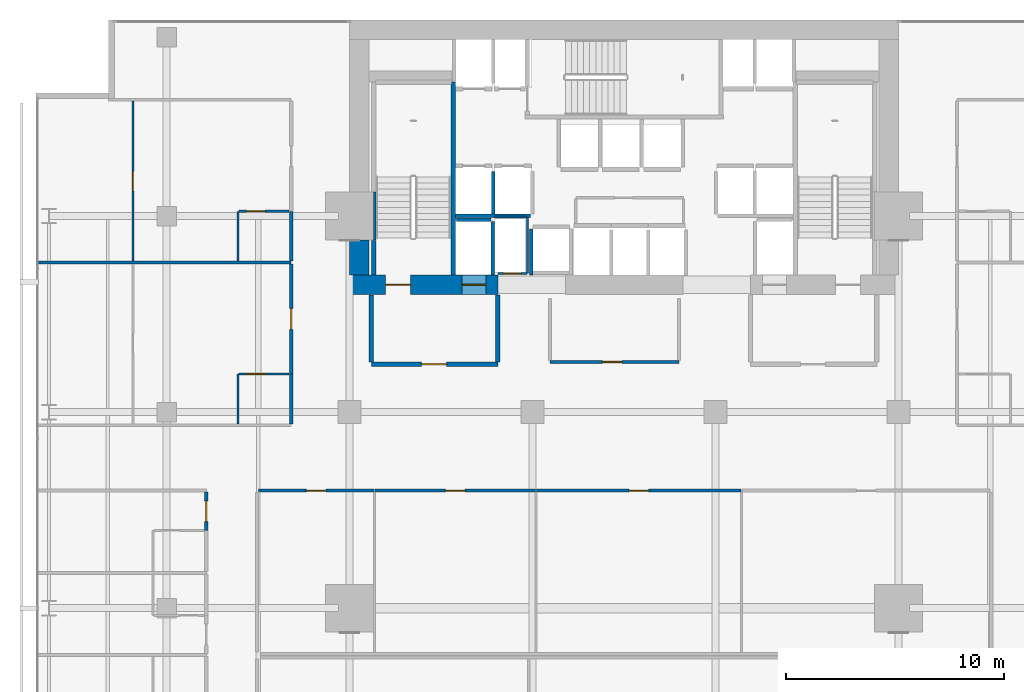
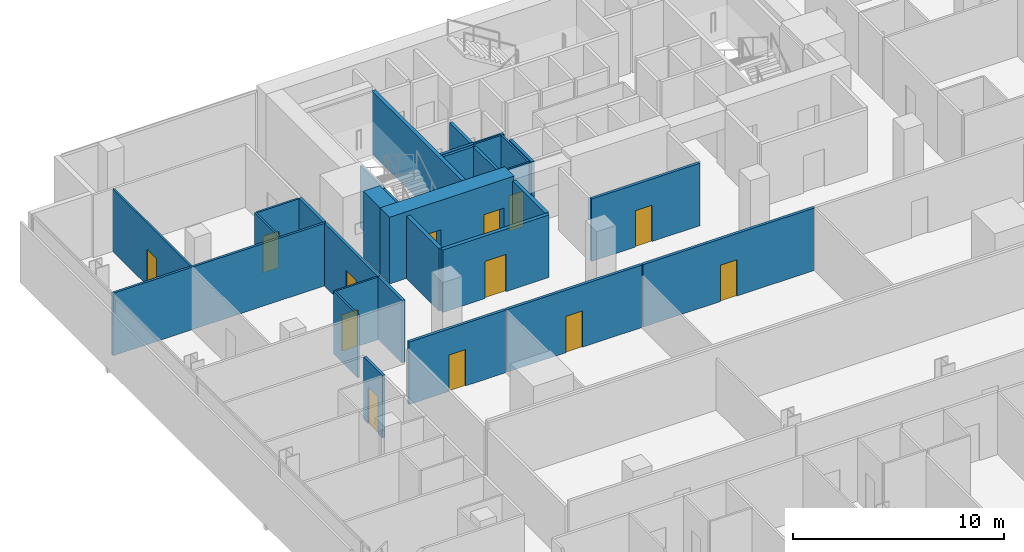
# One storey, part 35 of 40: 30 walls, 13 doors, 13 openings.
"""IFC4 building model written with IfcOpenShell, lengths in metres."""

from ifc_helpers import new_model, si_unit, direction, frame, frame_2d, origin, place, context, subcontext, project, spatial, rectangle, extrude, material, layer, layer_set, type_object, element, fill, save


model = new_model("IFC4")

# Units and contexts
model_context = context("Model", 3, precision=1e-05, world=origin(), true_north=direction((0.0, 1.0)))
body_context = subcontext(model_context, "Body", "Model", "MODEL_VIEW")
ifc_project = project(units=[si_unit("LENGTHUNIT", "METRE"), si_unit("AREAUNIT", "SQUARE_METRE"), si_unit("VOLUMEUNIT", "CUBIC_METRE"), si_unit("PLANEANGLEUNIT", "RADIAN"), si_unit("MASSUNIT", "GRAM", prefix="KILO")], contexts=[model_context])

# Site, building, storey
site_placement = place(None, origin())
site = spatial("IfcSite", under=ifc_project, at=site_placement, CompositionType="ELEMENT")
building_placement = place(site_placement, origin())
building = spatial("IfcBuilding", under=site, at=building_placement, Name="Maruvema Waterfront Hotel and Observation Tower", CompositionType="ELEMENT")
storey_placement = place(building_placement, frame((0.0, 0.0, 100.10009765625)))
storey = spatial("IfcBuildingStorey", under=building, at=storey_placement, Name="L24", CompositionType="ELEMENT", Elevation=100.10009765625)

# Wall, opening, door
ifc_material_1 = material(Name="Twin-stud acoustic gypsum drywall", Category="gypsum")
ifc_layer_1 = layer(ifc_material_1, 0.14990234375, Name="Acoustic Corridor and Suite Demising Wall 150 mm")
ifc_layer_set_1 = layer_set([ifc_layer_1], Name="Twin-stud acoustic gypsum drywall")
wall_type_1 = type_object("IfcWallType", Name="Acoustic Corridor and Suite Demising Wall 150 mm", PredefinedType="PARTITIONING", material=ifc_layer_set_1)
wall_1_placement = place(storey_placement, frame((34.39990234375, 38.300048828125, 0.0), z_axis=(0.0, 0.0, 1.0), x_axis=(1.0, 0.0, 0.0)))
wall_1 = element("IfcWall", 1, at=wall_1_placement, inside=storey, type_object=wall_type_1, Name="L24 Core Apron K0 South 013", PredefinedType="PARTITIONING", context=body_context, shape_type="SweptSolid", body=[
    extrude(rectangle(XDim=5.920166015625, YDim=0.14990234375, at=frame_2d((2.9599609375, 0.0))), origin(), (0.0, 0.0, 1.0), 3.60986328125),
])
opening_1_placement = place(wall_1_placement, frame((2.39990234375, 0.0, 0.0)))
opening_1 = element("IfcOpeningElement", 2, at=opening_1_placement, cuts=wall_1, Name="Opening DR-090", PredefinedType="OPENING", context=body_context, shape_type="SweptSolid", body=[
    extrude(rectangle(XDim=0.89990234375, YDim=2.10009765625, at=frame_2d((0.449951171875, 1.050048828125))), frame((0.0, 0.0849609375, 0.0), z_axis=(0.0, -1.0, 0.0), x_axis=(1.0, 0.0, 0.0)), (0.0, 0.0, 1.0), 0.169921875),
])
ifc_material_2 = material(Name="Solid-core lacquered timber leaf", Category="wood")
door_type_1 = type_object("IfcDoorType", Name="Accessible Toilet and Room Door 900x2100 mm", OperationType="NOTDEFINED", PredefinedType="DOOR", material=ifc_material_2)
door_1_placement = place(opening_1_placement, frame((0.89990234375, 0.0, 0.0), z_axis=(0.0, 0.0, 1.0), x_axis=(-1.0, 0.0, 0.0)))
door_1 = element("IfcDoor", 3, at=door_1_placement, inside=storey, type_object=door_type_1, Name="L24 Core Valet Room Door", OperationType="SINGLE_SWING_LEFT", OverallHeight=2.10009765625, OverallWidth=0.89990234375, PredefinedType="DOOR", context=body_context, shape_type="SweptSolid", body=[
    extrude(rectangle(XDim=0.89990234375, YDim=2.10009765625, at=frame_2d((0.449951171875, 1.050048828125))), frame((0.0, 0.02490234375, 0.0), z_axis=(0.0, -1.0, 0.0), x_axis=(1.0, 0.0, 0.0)), (0.0, 0.0, 1.0), 0.050048828125),
])
fill(opening_1, door_1)

wall_2_placement = place(storey_placement, frame((21.010009765625, 32.39990234375, 0.0), z_axis=(0.0, 0.0, 1.0), x_axis=(1.0, 0.0, 0.0)))
wall_2 = element("IfcWall", 4, at=wall_2_placement, inside=storey, type_object=wall_type_1, Name="L24 L24-INTN Front 1 019", PredefinedType="PARTITIONING", context=body_context, shape_type="SweptSolid", body=[
    extrude(rectangle(XDim=5.302001953125, YDim=0.14990234375, at=frame_2d((2.65087890625, 0.0))), origin(), (0.0, 0.0, 1.0), 3.60986328125),
])
opening_2_placement = place(wall_2_placement, frame((2.200927734375, 0.0, 0.0)))
opening_2 = element("IfcOpeningElement", 5, at=opening_2_placement, cuts=wall_2, Name="Opening DR-090", PredefinedType="OPENING", context=body_context, shape_type="SweptSolid", body=[
    extrude(rectangle(XDim=0.89990234375, YDim=2.10009765625, at=frame_2d((0.449951171875, 1.050048828125))), frame((0.0, 0.0849609375, 0.0), z_axis=(0.0, -1.0, 0.0), x_axis=(1.0, 0.0, 0.0)), (0.0, 0.0, 1.0), 0.169921875),
])
door_2_placement = place(opening_2_placement, origin())
door_2 = element("IfcDoor", 6, at=door_2_placement, inside=storey, type_object=door_type_1, Name="L24 Boardroom Salon Door", OperationType="SINGLE_SWING_RIGHT", OverallHeight=2.10009765625, OverallWidth=0.89990234375, PredefinedType="DOOR", context=body_context, shape_type="SweptSolid", body=[
    extrude(rectangle(XDim=0.89990234375, YDim=2.10009765625, at=frame_2d((0.449951171875, 1.050048828125))), frame((0.0, 0.02490234375, 0.0), z_axis=(0.0, -1.0, 0.0), x_axis=(1.0, 0.0, 0.0)), (0.0, 0.0, 1.0), 0.050048828125),
])
fill(opening_2, door_2)

wall_3_placement = place(storey_placement, frame((26.3720703125, 32.39990234375, 0.0), z_axis=(0.0, 0.0, 1.0), x_axis=(1.0, 0.0, 0.0)))
wall_3 = element("IfcWall", 7, at=wall_3_placement, inside=storey, type_object=wall_type_1, Name="L24 L24-INTN Front 2 021", PredefinedType="PARTITIONING", context=body_context, shape_type="SweptSolid", body=[
    extrude(rectangle(XDim=7.35400390625, YDim=0.14990234375, at=frame_2d((3.677001953125, 0.0))), origin(), (0.0, 0.0, 1.0), 3.60986328125),
])
opening_3_placement = place(wall_3_placement, frame((3.22705078125, 0.0, 0.0)))
opening_3 = element("IfcOpeningElement", 8, at=opening_3_placement, cuts=wall_3, Name="Opening DR-090", PredefinedType="OPENING", context=body_context, shape_type="SweptSolid", body=[
    extrude(rectangle(XDim=0.89990234375, YDim=2.10009765625, at=frame_2d((0.449951171875, 1.050048828125))), frame((0.0, 0.0849609375, 0.0), z_axis=(0.0, -1.0, 0.0), x_axis=(1.0, 0.0, 0.0)), (0.0, 0.0, 1.0), 0.169921875),
])
door_3_placement = place(opening_3_placement, origin())
door_3 = element("IfcDoor", 9, at=door_3_placement, inside=storey, type_object=door_type_1, Name="L24 Chef Pantry Kitchen 1 Door", OperationType="SINGLE_SWING_LEFT", OverallHeight=2.10009765625, OverallWidth=0.89990234375, PredefinedType="DOOR", context=body_context, shape_type="SweptSolid", body=[
    extrude(rectangle(XDim=0.89990234375, YDim=2.10009765625, at=frame_2d((0.449951171875, 1.050048828125))), frame((0.0, 0.02490234375, 0.0), z_axis=(0.0, -1.0, 0.0), x_axis=(1.0, 0.0, 0.0)), (0.0, 0.0, 1.0), 0.050048828125),
])
fill(opening_3, door_3)

wall_4_placement = place(storey_placement, frame((33.785888671875, 32.39990234375, 0.0), z_axis=(0.0, 0.0, 1.0), x_axis=(1.0, 0.0, 0.0)))
wall_4 = element("IfcWall", 10, at=wall_4_placement, inside=storey, type_object=wall_type_1, Name="L24 L24-INTN Front 3 023", PredefinedType="PARTITIONING", context=body_context, shape_type="SweptSolid", body=[
    extrude(rectangle(XDim=9.376220703125, YDim=0.14990234375, at=frame_2d((4.68798828125, 0.0))), origin(), (0.0, 0.0, 1.0), 3.60986328125),
])
opening_4_placement = place(wall_4_placement, frame((4.238037109375, 0.0, 0.0)))
opening_4 = element("IfcOpeningElement", 11, at=opening_4_placement, cuts=wall_4, Name="Opening DR-090", PredefinedType="OPENING", context=body_context, shape_type="SweptSolid", body=[
    extrude(rectangle(XDim=0.89990234375, YDim=2.10009765625, at=frame_2d((0.449951171875, 1.050048828125))), frame((0.0, 0.0849609375, 0.0), z_axis=(0.0, -1.0, 0.0), x_axis=(1.0, 0.0, 0.0)), (0.0, 0.0, 1.0), 0.169921875),
])
door_4_placement = place(opening_4_placement, origin())
door_4 = element("IfcDoor", 12, at=door_4_placement, inside=storey, type_object=door_type_1, Name="L24 Chef Pantry Kitchen 2 Door", OperationType="SINGLE_SWING_RIGHT", OverallHeight=2.10009765625, OverallWidth=0.89990234375, PredefinedType="DOOR", context=body_context, shape_type="SweptSolid", body=[
    extrude(rectangle(XDim=0.89990234375, YDim=2.10009765625, at=frame_2d((0.449951171875, 1.050048828125))), frame((0.0, 0.02490234375, 0.0), z_axis=(0.0, -1.0, 0.0), x_axis=(1.0, 0.0, 0.0)), (0.0, 0.0, 1.0), 0.050048828125),
])
fill(opening_4, door_4)

wall_5_placement = place(storey_placement, frame((18.6201171875, 30.570068359375, 0.0), z_axis=(0.0, 0.0, 1.0), x_axis=(0.0, 1.0, 0.0)))
wall_5 = element("IfcWall", 13, at=wall_5_placement, inside=storey, type_object=wall_type_1, Name="L24 Room L24-W4 Corridor Wall 096", PredefinedType="PARTITIONING", context=body_context, shape_type="SweptSolid", body=[
    extrude(rectangle(XDim=1.77001953125, YDim=0.14990234375, at=frame_2d((0.885009765625, 0.0))), origin(), (0.0, 0.0, 1.0), 3.60986328125),
])
opening_5_placement = place(wall_5_placement, frame((0.409912109375, 0.0, 0.0)))
opening_5 = element("IfcOpeningElement", 14, at=opening_5_placement, cuts=wall_5, Name="Opening DR-095", PredefinedType="OPENING", context=body_context, shape_type="SweptSolid", body=[
    extrude(rectangle(XDim=0.949951171875, YDim=2.14990234375, at=frame_2d((0.47509765625, 1.074951171875))), frame((0.0, 0.0849609375, 0.0), z_axis=(0.0, -1.0, 0.0), x_axis=(1.0, 0.0, 0.0)), (0.0, 0.0, 1.0), 0.169921875),
])
ifc_material_3 = material(Name="Acoustic solid-core hardwood timber leaf", Category="wood")
door_type_2 = type_object("IfcDoorType", Name="Guestroom Entrance Fire Door 950x2150 mm", OperationType="NOTDEFINED", PredefinedType="DOOR", material=ifc_material_3)
door_5_placement = place(opening_5_placement, origin())
door_5 = element("IfcDoor", 15, at=door_5_placement, inside=storey, type_object=door_type_2, Name="L24 Room L24-W4 Entrance Door", OperationType="SINGLE_SWING_LEFT", OverallHeight=2.14990234375, OverallWidth=0.949951171875, PredefinedType="DOOR", context=body_context, shape_type="SweptSolid", body=[
    extrude(rectangle(XDim=0.949951171875, YDim=2.14990234375, at=frame_2d((0.47509765625, 1.074951171875))), frame((0.0, 0.02490234375, 0.0), z_axis=(0.0, -1.0, 0.0), x_axis=(1.0, 0.0, 0.0)), (0.0, 0.0, 1.0), 0.050048828125),
])
fill(opening_5, door_5)

# Wall
wall_6_placement = place(storey_placement, frame((22.52001953125, 35.4599609375, 0.0), z_axis=(0.0, 0.0, 1.0), x_axis=(0.0, 1.0, 0.0)))
element("IfcWall", 16, at=wall_6_placement, inside=storey, type_object=wall_type_1, Name="L24 Bath L24-NW1 Wall 107", PredefinedType="PARTITIONING", context=body_context, shape_type="SweptSolid", body=[
    extrude(rectangle(XDim=2.2900390625, YDim=0.14990234375, at=frame_2d((1.14501953125, 0.0))), origin(), (0.0, 0.0, 1.0), 3.60986328125),
])

# Wall, opening, door
wall_7_placement = place(storey_placement, frame((22.52001953125, 37.75, 0.0), z_axis=(0.0, 0.0, 1.0), x_axis=(0.0, 1.0, 0.0)))
wall_7 = element("IfcWall", 17, at=wall_7_placement, inside=storey, type_object=wall_type_1, Name="L24 Room L24-NW1 Corridor Wall 108", PredefinedType="PARTITIONING", context=body_context, shape_type="SweptSolid", body=[
    extrude(rectangle(XDim=5.05859375, YDim=0.14990234375, at=frame_2d((2.529296875, 0.0))), origin(), (0.0, 0.0, 1.0), 3.60986328125),
])
opening_6_placement = place(wall_7_placement, frame((2.054443359375, 0.0, 0.0)))
opening_6 = element("IfcOpeningElement", 18, at=opening_6_placement, cuts=wall_7, Name="Opening DR-095", PredefinedType="OPENING", context=body_context, shape_type="SweptSolid", body=[
    extrude(rectangle(XDim=0.949951171875, YDim=2.14990234375, at=frame_2d((0.47509765625, 1.074951171875))), frame((0.0, 0.0849609375, 0.0), z_axis=(0.0, -1.0, 0.0), x_axis=(1.0, 0.0, 0.0)), (0.0, 0.0, 1.0), 0.169921875),
])
door_6_placement = place(opening_6_placement, origin())
door_6 = element("IfcDoor", 19, at=door_6_placement, inside=storey, type_object=door_type_2, Name="L24 Room L24-NW1 Entrance Door", OperationType="SINGLE_SWING_LEFT", OverallHeight=2.14990234375, OverallWidth=0.949951171875, PredefinedType="DOOR", context=body_context, shape_type="SweptSolid", body=[
    extrude(rectangle(XDim=0.949951171875, YDim=2.14990234375, at=frame_2d((0.47509765625, 1.074951171875))), frame((0.0, 0.02490234375, 0.0), z_axis=(0.0, -1.0, 0.0), x_axis=(1.0, 0.0, 0.0)), (0.0, 0.0, 1.0), 0.050048828125),
])
fill(opening_6, door_6)

# Walls
wall_8_placement = place(storey_placement, frame((22.52001953125, 42.9287109375, 0.0), z_axis=(0.0, 0.0, 1.0), x_axis=(0.0, 1.0, 0.0)))
element("IfcWall", 20, at=wall_8_placement, inside=storey, type_object=wall_type_1, Name="L24 Bath L24-NW2 Wall 119", PredefinedType="PARTITIONING", context=body_context, shape_type="SweptSolid", body=[
    extrude(rectangle(XDim=2.2900390625, YDim=0.14990234375, at=frame_2d((1.14501953125, 0.0))), origin(), (0.0, 0.0, 1.0), 3.60986328125),
])
ifc_material_4 = material(Name="Precast concrete C45/55", Category="concrete")
ifc_layer_2 = layer(ifc_material_4, 0.199951171875, Name="Core Shaft and Stairwell Enclosure Wall 200 mm")
ifc_layer_set_2 = layer_set([ifc_layer_2], Name="Precast concrete C45/55")
wall_type_2 = type_object("IfcWallType", Name="Core Shaft and Stairwell Enclosure Wall 200 mm", PredefinedType="SOLIDWALL", material=ifc_layer_set_2)
wall_9_placement = place(storey_placement, frame((29.949951171875, 42.300048828125, 0.0), z_axis=(0.0, 0.0, 1.0), x_axis=(0.0, 1.0, 0.0)))
element("IfcWall", 21, at=wall_9_placement, inside=storey, type_object=wall_type_2, Name="L24 Stairwell ST-01 East Shaft Wall", PredefinedType="SOLIDWALL", context=body_context, shape_type="SweptSolid", body=[
    extrude(rectangle(XDim=8.849853515625, YDim=0.199951171875, at=frame_2d((4.4248046875, 0.0))), origin(), (0.0, 0.0, 1.0), 3.60986328125),
])
wall_10_placement = place(storey_placement, frame((26.300048828125, 42.300048828125, 0.0), z_axis=(0.0, 0.0, 1.0), x_axis=(0.0, 1.0, 0.0)))
element("IfcWall", 22, at=wall_10_placement, inside=storey, type_object=wall_type_2, Name="L24 Stairwell ST-01 Shaft Lining Wall", PredefinedType="SOLIDWALL", context=body_context, shape_type="SweptSolid", body=[
    extrude(rectangle(XDim=1.579833984375, YDim=0.199951171875, at=frame_2d((0.7900390625, 0.0))), origin(), (0.0, 0.0, 1.0), 3.60986328125),
])

# Wall, openings, doors
ifc_material_5 = material(Name="Concrete C80/95", Category="concrete")
ifc_layer_3 = layer(ifc_material_5, 0.89990234375, Name="Core Shear Wall 900 mm")
ifc_layer_set_3 = layer_set([ifc_layer_3], Name="Concrete C80/95")
wall_type_3 = type_object("IfcWallType", Name="Core Shear Wall 900 mm", PredefinedType="SHEAR", material=ifc_layer_set_3)
wall_11_placement = place(storey_placement, frame((25.199951171875, 41.85009765625, 0.0), z_axis=(0.0, 0.0, 1.0), x_axis=(1.0, 0.0, 0.0)))
wall_11 = element("IfcWall", 23, at=wall_11_placement, inside=storey, type_object=wall_type_3, Name="L24 South-West Core Shear Wall", PredefinedType="SHEAR", context=body_context, shape_type="SweptSolid", body=[
    extrude(rectangle(XDim=6.800048828125, YDim=0.89990234375, at=frame_2d((3.39990234375, 0.0))), origin(), (0.0, 0.0, 1.0), 3.849853515625),
])
opening_7_placement = place(wall_11_placement, frame((1.64990234375, 0.0, 0.0)))
opening_7 = element("IfcOpeningElement", 24, at=opening_7_placement, cuts=wall_11, Name="Opening SD-01", PredefinedType="OPENING", context=body_context, shape_type="SweptSolid", body=[
    extrude(rectangle(XDim=1.14990234375, YDim=2.14990234375, at=frame_2d((0.574951171875, 1.074951171875))), frame((0.0, 0.4599609375, 0.0), z_axis=(0.0, -1.0, 0.0), x_axis=(1.0, 0.0, 0.0)), (0.0, 0.0, 1.0), 0.919921875),
])
opening_8_placement = place(wall_11_placement, frame((5.14990234375, 0.0, 0.0)))
opening_8 = element("IfcOpeningElement", 25, at=opening_8_placement, cuts=wall_11, Name="Opening LD-03", PredefinedType="OPENING", context=body_context, shape_type="SweptSolid", body=[
    extrude(rectangle(XDim=1.10009765625, YDim=2.199951171875, at=frame_2d((0.550048828125, 1.10009765625))), frame((0.0, 0.4599609375, 0.0), z_axis=(0.0, -1.0, 0.0), x_axis=(1.0, 0.0, 0.0)), (0.0, 0.0, 1.0), 0.919921875),
])
ifc_material_6 = material(Name="Fire-rated galvanised steel leaf", Category="steel")
door_type_3 = type_object("IfcDoorType", Name="Exit Stair Fire Door 1150x2150 mm", OperationType="NOTDEFINED", PredefinedType="DOOR", material=ifc_material_6)
door_7_placement = place(opening_7_placement, origin())
door_7 = element("IfcDoor", 26, at=door_7_placement, inside=storey, type_object=door_type_3, Name="L24 Exit Stair ST-01 Fire Door", OperationType="SINGLE_SWING_LEFT", OverallHeight=2.14990234375, OverallWidth=1.14990234375, PredefinedType="DOOR", context=body_context, shape_type="SweptSolid", body=[
    extrude(rectangle(XDim=1.14990234375, YDim=2.14990234375, at=frame_2d((0.574951171875, 1.074951171875))), frame((0.0, 0.02490234375, 0.0), z_axis=(0.0, -1.0, 0.0), x_axis=(1.0, 0.0, 0.0)), (0.0, 0.0, 1.0), 0.050048828125),
])
fill(opening_7, door_7)
ifc_material_7 = material(Name="Brushed stainless steel Grade 316", Category="steel")
door_type_4 = type_object("IfcDoorType", Name="Firefighting Lift Sliding Landing Door 1100x2200 mm", OperationType="SLIDING_TO_LEFT", PredefinedType="DOOR", material=ifc_material_7)
door_8_placement = place(opening_8_placement, frame((1.10009765625, 0.0, 0.0), z_axis=(0.0, 0.0, 1.0), x_axis=(-1.0, 0.0, 0.0)))
door_8 = element("IfcDoor", 27, at=door_8_placement, inside=storey, type_object=door_type_4, Name="L24 Firefighting Lift FL-01 Landing Door", OperationType="SLIDING_TO_LEFT", OverallHeight=2.199951171875, OverallWidth=1.10009765625, PredefinedType="DOOR", context=body_context, shape_type="SweptSolid", body=[
    extrude(rectangle(XDim=1.10009765625, YDim=2.199951171875, at=frame_2d((0.550048828125, 1.10009765625))), frame((0.0, 0.02490234375, 0.0), z_axis=(0.0, -1.0, 0.0), x_axis=(1.0, 0.0, 0.0)), (0.0, 0.0, 1.0), 0.050048828125),
])
fill(opening_8, door_8)

# Wall
wall_12_placement = place(storey_placement, frame((25.64990234375, 42.300048828125, 0.0), z_axis=(0.0, 0.0, 1.0), x_axis=(0.0, 1.0, 0.0)))
element("IfcWall", 28, at=wall_12_placement, inside=storey, type_object=wall_type_3, Name="L24 West-South Core Shear Wall", PredefinedType="SHEAR", context=body_context, shape_type="SweptSolid", body=[
    extrude(rectangle(XDim=1.599853515625, YDim=0.89990234375, at=frame_2d((0.7998046875, 0.0))), origin(), (0.0, 0.0, 1.0), 3.849853515625),
])

# Wall, opening, door
ifc_material_8 = material(Name="Moisture-resistant cement-board drywall", Category="gypsum")
ifc_layer_4 = layer(ifc_material_8, 0.10009765625, Name="En-Suite Moisture-Resistant Partition 100 mm")
ifc_layer_set_4 = layer_set([ifc_layer_4], Name="Moisture-resistant cement-board drywall")
wall_type_4 = type_object("IfcWallType", Name="En-Suite Moisture-Resistant Partition 100 mm", PredefinedType="PARTITIONING", material=ifc_layer_set_4)
wall_13_placement = place(storey_placement, frame((32.02001953125, 42.360107421875, 0.0), z_axis=(0.0, 0.0, 1.0), x_axis=(1.0, 0.0, 0.0)))
wall_13 = element("IfcWall", 29, at=wall_13_placement, inside=storey, type_object=wall_type_4, Name="L24 Telecom Riser South Wall 007", PredefinedType="PARTITIONING", context=body_context, shape_type="SweptSolid", body=[
    extrude(rectangle(XDim=1.320068359375, YDim=0.10009765625, at=frame_2d((0.66015625, 0.0))), origin(), (0.0, 0.0, 1.0), 3.60986328125),
])
opening_9_placement = place(wall_13_placement, frame((0.239990234375, 0.0, 0.0)))
opening_9 = element("IfcOpeningElement", 30, at=opening_9_placement, cuts=wall_13, Name="Opening DR-080", PredefinedType="OPENING", context=body_context, shape_type="SweptSolid", body=[
    extrude(rectangle(XDim=0.800048828125, YDim=2.050048828125, at=frame_2d((0.39990234375, 1.02490234375))), frame((0.0, 0.06005859375, 0.0), z_axis=(0.0, -1.0, 0.0), x_axis=(1.0, 0.0, 0.0)), (0.0, 0.0, 1.0), 0.1201171875),
])
ifc_material_9 = material(Name="Powder-coated steel access leaf", Category="steel")
door_type_5 = type_object("IfcDoorType", Name="Riser and Service Cupboard Door 800x2050 mm", OperationType="NOTDEFINED", PredefinedType="DOOR", material=ifc_material_9)
door_9_placement = place(opening_9_placement, frame((0.800048828125, 0.0, 0.0), z_axis=(0.0, 0.0, 1.0), x_axis=(-1.0, 0.0, 0.0)))
door_9 = element("IfcDoor", 31, at=door_9_placement, inside=storey, type_object=door_type_5, Name="L24 Telecom Riser Door", OperationType="SINGLE_SWING_LEFT", OverallHeight=2.050048828125, OverallWidth=0.800048828125, PredefinedType="DOOR", context=body_context, shape_type="SweptSolid", body=[
    extrude(rectangle(XDim=0.800048828125, YDim=2.050048828125, at=frame_2d((0.39990234375, 1.02490234375))), frame((0.0, 0.02490234375, 0.0), z_axis=(0.0, -1.0, 0.0), x_axis=(1.0, 0.0, 0.0)), (0.0, 0.0, 1.0), 0.050048828125),
])
fill(opening_9, door_9)

# Walls
wall_14_placement = place(storey_placement, frame((31.840087890625, 44.9599609375, 0.0), z_axis=(0.0, 0.0, 1.0), x_axis=(1.0, 0.0, 0.0)))
element("IfcWall", 32, at=wall_14_placement, inside=storey, type_object=wall_type_4, Name="L24 Telecom Riser North Wall 008", PredefinedType="PARTITIONING", context=body_context, shape_type="SweptSolid", body=[
    extrude(rectangle(XDim=1.47998046875, YDim=0.10009765625, at=frame_2d((0.739990234375, 0.0))), origin(), (0.0, 0.0, 1.0), 3.60986328125),
])
wall_15_placement = place(storey_placement, frame((33.360107421875, 42.360107421875, 0.0), z_axis=(0.0, 0.0, 1.0), x_axis=(0.0, 1.0, 0.0)))
element("IfcWall", 33, at=wall_15_placement, inside=storey, type_object=wall_type_4, Name="L24 Telecom Riser East Wall 009", PredefinedType="PARTITIONING", context=body_context, shape_type="SweptSolid", body=[
    extrude(rectangle(XDim=2.579833984375, YDim=0.10009765625, at=frame_2d((1.2900390625, 0.0))), origin(), (0.0, 0.0, 1.0), 3.60986328125),
])
wall_16_placement = place(storey_placement, frame((20.070068359375, 35.4599609375, 0.0), z_axis=(0.0, 0.0, 1.0), x_axis=(0.0, 1.0, 0.0)))
element("IfcWall", 34, at=wall_16_placement, inside=storey, type_object=wall_type_4, Name="L24 En-Suite L24-NW1 W 109", PredefinedType="PARTITIONING", context=body_context, shape_type="SweptSolid", body=[
    extrude(rectangle(XDim=2.2900390625, YDim=0.10009765625, at=frame_2d((1.14501953125, 0.0))), origin(), (0.0, 0.0, 1.0), 3.60986328125),
])

# Wall, opening, door
wall_17_placement = place(storey_placement, frame((20.1201171875, 37.75, 0.0), z_axis=(0.0, 0.0, 1.0), x_axis=(1.0, 0.0, 0.0)))
wall_17 = element("IfcWall", 35, at=wall_17_placement, inside=storey, type_object=wall_type_4, Name="L24 En-Suite L24-NW1 N 110", PredefinedType="PARTITIONING", context=body_context, shape_type="SweptSolid", body=[
    extrude(rectangle(XDim=2.2998046875, YDim=0.10009765625, at=frame_2d((1.14990234375, 0.0))), origin(), (0.0, 0.0, 1.0), 3.60986328125),
])
opening_10_placement = place(wall_17_placement, frame((0.35009765625, 0.0, 0.0)))
opening_10 = element("IfcOpeningElement", 36, at=opening_10_placement, cuts=wall_17, Name="Opening DR-085", PredefinedType="OPENING", context=body_context, shape_type="SweptSolid", body=[
    extrude(rectangle(XDim=0.85009765625, YDim=2.10009765625, at=frame_2d((0.425048828125, 1.050048828125))), frame((0.0, 0.06005859375, 0.0), z_axis=(0.0, -1.0, 0.0), x_axis=(1.0, 0.0, 0.0)), (0.0, 0.0, 1.0), 0.1201171875),
])
ifc_material_10 = material(Name="Moisture-resistant solid timber leaf", Category="wood")
door_type_6 = type_object("IfcDoorType", Name="En-Suite Bathroom Door 850x2100 mm", OperationType="NOTDEFINED", PredefinedType="DOOR", material=ifc_material_10)
door_10_placement = place(opening_10_placement, origin())
door_10 = element("IfcDoor", 37, at=door_10_placement, inside=storey, type_object=door_type_6, Name="L24 En-Suite L24-NW1 Door", OperationType="SINGLE_SWING_RIGHT", OverallHeight=2.10009765625, OverallWidth=0.85009765625, PredefinedType="DOOR", context=body_context, shape_type="SweptSolid", body=[
    extrude(rectangle(XDim=0.85009765625, YDim=2.10009765625, at=frame_2d((0.425048828125, 1.050048828125))), frame((0.0, 0.02490234375, 0.0), z_axis=(0.0, -1.0, 0.0), x_axis=(1.0, 0.0, 0.0)), (0.0, 0.0, 1.0), 0.050048828125),
])
fill(opening_10, door_10)

# Wall
wall_18_placement = place(storey_placement, frame((20.070068359375, 42.9287109375, 0.0), z_axis=(0.0, 0.0, 1.0), x_axis=(0.0, 1.0, 0.0)))
element("IfcWall", 38, at=wall_18_placement, inside=storey, type_object=wall_type_4, Name="L24 En-Suite L24-NW2 W 121", PredefinedType="PARTITIONING", context=body_context, shape_type="SweptSolid", body=[
    extrude(rectangle(XDim=2.2900390625, YDim=0.10009765625, at=frame_2d((1.14501953125, 0.0))), origin(), (0.0, 0.0, 1.0), 3.60986328125),
])

# Wall, opening, door
wall_19_placement = place(storey_placement, frame((20.1201171875, 45.21875, 0.0), z_axis=(0.0, 0.0, 1.0), x_axis=(1.0, 0.0, 0.0)))
wall_19 = element("IfcWall", 39, at=wall_19_placement, inside=storey, type_object=wall_type_4, Name="L24 En-Suite L24-NW2 N 122", PredefinedType="PARTITIONING", context=body_context, shape_type="SweptSolid", body=[
    extrude(rectangle(XDim=2.2998046875, YDim=0.10009765625, at=frame_2d((1.14990234375, 0.0))), origin(), (0.0, 0.0, 1.0), 3.60986328125),
])
opening_11_placement = place(wall_19_placement, frame((0.35009765625, 0.0, 0.0)))
opening_11 = element("IfcOpeningElement", 40, at=opening_11_placement, cuts=wall_19, Name="Opening DR-085", PredefinedType="OPENING", context=body_context, shape_type="SweptSolid", body=[
    extrude(rectangle(XDim=0.85009765625, YDim=2.10009765625, at=frame_2d((0.425048828125, 1.050048828125))), frame((0.0, 0.06005859375, 0.0), z_axis=(0.0, -1.0, 0.0), x_axis=(1.0, 0.0, 0.0)), (0.0, 0.0, 1.0), 0.1201171875),
])
door_11_placement = place(opening_11_placement, origin())
door_11 = element("IfcDoor", 41, at=door_11_placement, inside=storey, type_object=door_type_6, Name="L24 En-Suite L24-NW2 Door", OperationType="SINGLE_SWING_RIGHT", OverallHeight=2.10009765625, OverallWidth=0.85009765625, PredefinedType="DOOR", context=body_context, shape_type="SweptSolid", body=[
    extrude(rectangle(XDim=0.85009765625, YDim=2.10009765625, at=frame_2d((0.425048828125, 1.050048828125))), frame((0.0, 0.02490234375, 0.0), z_axis=(0.0, -1.0, 0.0), x_axis=(1.0, 0.0, 0.0)), (0.0, 0.0, 1.0), 0.050048828125),
])
fill(opening_11, door_11)

wall_20_placement = place(storey_placement, frame((15.24951171875, 42.9287109375, 0.0), z_axis=(0.0, 0.0, 1.0), x_axis=(0.0, 1.0, 0.0)))
wall_20 = element("IfcWall", 42, at=wall_20_placement, inside=storey, type_object=wall_type_4, Name="L24 Suite L24-NW2 Split 123", PredefinedType="PARTITIONING", context=body_context, shape_type="SweptSolid", body=[
    extrude(rectangle(XDim=7.348876953125, YDim=0.10009765625, at=frame_2d((3.67431640625, 0.0))), origin(), (0.0, 0.0, 1.0), 3.60986328125),
])
opening_12_placement = place(wall_20_placement, frame((3.224365234375, 0.0, 0.0)))
opening_12 = element("IfcOpeningElement", 43, at=opening_12_placement, cuts=wall_20, Name="Opening DR-090", PredefinedType="OPENING", context=body_context, shape_type="SweptSolid", body=[
    extrude(rectangle(XDim=0.89990234375, YDim=2.10009765625, at=frame_2d((0.449951171875, 1.050048828125))), frame((0.0, 0.06005859375, 0.0), z_axis=(0.0, -1.0, 0.0), x_axis=(1.0, 0.0, 0.0)), (0.0, 0.0, 1.0), 0.1201171875),
])
door_12_placement = place(opening_12_placement, origin())
door_12 = element("IfcDoor", 44, at=door_12_placement, inside=storey, type_object=door_type_1, Name="L24 Suite L24-NW2 Bedroom Door", OperationType="SINGLE_SWING_RIGHT", OverallHeight=2.10009765625, OverallWidth=0.89990234375, PredefinedType="DOOR", context=body_context, shape_type="SweptSolid", body=[
    extrude(rectangle(XDim=0.89990234375, YDim=2.10009765625, at=frame_2d((0.449951171875, 1.050048828125))), frame((0.0, 0.02490234375, 0.0), z_axis=(0.0, -1.0, 0.0), x_axis=(1.0, 0.0, 0.0)), (0.0, 0.0, 1.0), 0.050048828125),
])
fill(opening_12, door_12)

ifc_material_11 = material(Name="Autoclaved cellular concrete blockwork", Category="masonry")
ifc_layer_5 = layer(ifc_material_11, 0.199951171875, Name="Fire Compartment Masonry Wall 200 mm")
ifc_layer_set_5 = layer_set([ifc_layer_5], Name="Autoclaved cellular concrete blockwork")
wall_type_5 = type_object("IfcWallType", Name="Fire Compartment Masonry Wall 200 mm", PredefinedType="PARTITIONING", material=ifc_layer_set_5)
wall_21_placement = place(storey_placement, frame((26.199951171875, 38.199951171875, 0.0), z_axis=(0.0, 0.0, 1.0), x_axis=(1.0, 0.0, 0.0)))
wall_21 = element("IfcWall", 45, at=wall_21_placement, inside=storey, type_object=wall_type_5, Name="L24 FFL West South Wall 001", PredefinedType="PARTITIONING", context=body_context, shape_type="SweptSolid", body=[
    extrude(rectangle(XDim=5.800048828125, YDim=0.199951171875, at=frame_2d((2.89990234375, 0.0))), origin(), (0.0, 0.0, 1.0), 3.60986328125),
])
opening_13_placement = place(wall_21_placement, frame((2.300048828125, 0.0, 0.0)))
opening_13 = element("IfcOpeningElement", 46, at=opening_13_placement, cuts=wall_21, Name="Opening FD-115", PredefinedType="OPENING", context=body_context, shape_type="SweptSolid", body=[
    extrude(rectangle(XDim=1.14990234375, YDim=2.14990234375, at=frame_2d((0.574951171875, 1.074951171875))), frame((0.0, 0.10986328125, 0.0), z_axis=(0.0, -1.0, 0.0), x_axis=(1.0, 0.0, 0.0)), (0.0, 0.0, 1.0), 0.219970703125),
])
ifc_material_12 = material(Name="Fire-rated galvanised steel and vision glass", Category="steel")
door_type_7 = type_object("IfcDoorType", Name="Firefighting Lobby Fire Door 1150x2150 mm", OperationType="NOTDEFINED", PredefinedType="DOOR", material=ifc_material_12)
door_13_placement = place(opening_13_placement, frame((1.14990234375, 0.0, 0.0), z_axis=(0.0, 0.0, 1.0), x_axis=(-1.0, 0.0, 0.0)))
door_13 = element("IfcDoor", 47, at=door_13_placement, inside=storey, type_object=door_type_7, Name="L24 Firefighting Lobby West Door", OperationType="SINGLE_SWING_LEFT", OverallHeight=2.14990234375, OverallWidth=1.14990234375, PredefinedType="DOOR", context=body_context, shape_type="SweptSolid", body=[
    extrude(rectangle(XDim=1.14990234375, YDim=2.14990234375, at=frame_2d((0.574951171875, 1.074951171875))), frame((0.0, 0.02490234375, 0.0), z_axis=(0.0, -1.0, 0.0), x_axis=(1.0, 0.0, 0.0)), (0.0, 0.0, 1.0), 0.050048828125),
])
fill(opening_13, door_13)

# Walls
for number, where, z_axis, x_axis, name in (
    (48, (26.199951171875, 38.31005859375, 0.0), (0.0, 0.0, 1.0), (0.0, 1.0, 0.0), "L24 FFL West West Wall 002"),
    (49, (32.0, 38.31005859375, 0.0), (0.0, 0.0, 1.0), (0.0, 1.0, 0.0), "L24 FFL West East Wall 003"),
):
    element("IfcWall", number, at=place(storey_placement, frame(where, z_axis=z_axis, x_axis=x_axis)), inside=storey, type_object=wall_type_5, Name=name, PredefinedType="PARTITIONING", context=body_context, shape_type="SweptSolid", body=[
        extrude(rectangle(XDim=3.06982421875, YDim=0.199951171875, at=frame_2d((1.534912109375, 0.0))), origin(), (0.0, 0.0, 1.0), 3.60986328125),
    ])
ifc_material_13 = material(Name="Acoustic gypsum plasterboard drywall", Category="gypsum")
ifc_layer_6 = layer(ifc_material_13, 0.125, Name="Guestroom Acoustic Demising Wall 125 mm")
ifc_layer_set_6 = layer_set([ifc_layer_6], Name="Acoustic gypsum plasterboard drywall")
wall_type_6 = type_object("IfcWallType", Name="Guestroom Acoustic Demising Wall 125 mm", PredefinedType="PARTITIONING", material=ifc_layer_set_6)
wall_22_placement = place(storey_placement, frame((10.89990234375, 42.86865234375, 0.0), z_axis=(0.0, 0.0, 1.0), x_axis=(1.0, 0.0, 0.0)))
element("IfcWall", 50, at=wall_22_placement, inside=storey, type_object=wall_type_6, Name="L24 NW Demising 2 117", PredefinedType="PARTITIONING", context=body_context, shape_type="SweptSolid", body=[
    extrude(rectangle(XDim=11.6201171875, YDim=0.125, at=frame_2d((5.81005859375, 0.0))), origin(), (0.0, 0.0, 1.0), 3.60986328125),
])
ifc_material_14 = material(Name="Precast concrete C45/55", Category="concrete")
ifc_layer_7 = layer(ifc_material_14, 0.159912109375, Name="Lift Hoistway Divider Wall 160 mm")
ifc_layer_set_7 = layer_set([ifc_layer_7], Name="Precast concrete C45/55")
wall_type_7 = type_object("IfcWallType", Name="Lift Hoistway Divider Wall 160 mm", PredefinedType="SOLIDWALL", material=ifc_layer_set_7)
wall_23_placement = place(storey_placement, frame((30.10009765625, 44.830078125, 0.0), z_axis=(0.0, 0.0, 1.0), x_axis=(1.0, 0.0, 0.0)))
element("IfcWall", 51, at=wall_23_placement, inside=storey, type_object=wall_type_7, Name="L24 Lift FL-01 Rear Hoistway Wall", PredefinedType="SOLIDWALL", context=body_context, shape_type="SweptSolid", body=[
    extrude(rectangle(XDim=1.599853515625, YDim=0.159912109375, at=frame_2d((0.7998046875, 0.0))), origin(), (0.0, 0.0, 1.0), 3.60986328125),
])
wall_24_placement = place(storey_placement, frame((31.780029296875, 42.300048828125, 0.0), z_axis=(0.0, 0.0, 1.0), x_axis=(0.0, 1.0, 0.0)))
element("IfcWall", 52, at=wall_24_placement, inside=storey, type_object=wall_type_7, Name="L24 Lift FL-01 Inner Hoistway Wall", PredefinedType="SOLIDWALL", context=body_context, shape_type="SweptSolid", body=[
    extrude(rectangle(XDim=2.43994140625, YDim=0.159912109375, at=frame_2d((1.219970703125, 0.0))), origin(), (0.0, 0.0, 1.0), 3.60986328125),
])
wall_25_placement = place(storey_placement, frame((31.800048828125, 45.10009765625, 0.0), z_axis=(0.0, 0.0, 1.0), x_axis=(0.0, 1.0, 0.0)))
element("IfcWall", 53, at=wall_25_placement, inside=storey, type_object=wall_type_7, Name="L24 Hoistway Divider Wall", PredefinedType="SOLIDWALL", context=body_context, shape_type="SweptSolid", body=[
    extrude(rectangle(XDim=1.949951171875, YDim=0.159912109375, at=frame_2d((0.97509765625, 0.0))), origin(), (0.0, 0.0, 1.0), 3.60986328125),
])
wall_26_placement = place(storey_placement, frame((30.050048828125, 45.010009765625, 0.0), z_axis=(0.0, 0.0, 1.0), x_axis=(1.0, 0.0, 0.0)))
element("IfcWall", 54, at=wall_26_placement, inside=storey, type_object=wall_type_7, Name="L24 Hoistway Divider Wall", PredefinedType="SOLIDWALL", context=body_context, shape_type="SweptSolid", body=[
    extrude(rectangle(XDim=3.449951171875, YDim=0.159912109375, at=frame_2d((1.72509765625, 0.0))), origin(), (0.0, 0.0, 1.0), 3.60986328125),
])
wall_27_placement = place(storey_placement, frame((33.5400390625, 42.300048828125, 0.0), z_axis=(0.0, 0.0, 1.0), x_axis=(0.0, 1.0, 0.0)))
element("IfcWall", 55, at=wall_27_placement, inside=storey, type_object=wall_type_7, Name="L24 Hoistway Divider Wall", PredefinedType="SOLIDWALL", context=body_context, shape_type="SweptSolid", body=[
    extrude(rectangle(XDim=2.099853515625, YDim=0.159912109375, at=frame_2d((1.0498046875, 0.0))), origin(), (0.0, 0.0, 1.0), 3.60986328125),
])
ifc_material_15 = material(Name="Precast concrete C45/55", Category="concrete")
ifc_layer_8 = layer(ifc_material_15, 0.10009765625, Name="Stairwell Stringer Cheek Wall 100 mm")
ifc_layer_set_8 = layer_set([ifc_layer_8], Name="Precast concrete C45/55")
wall_type_8 = type_object("IfcWallType", Name="Stairwell Stringer Cheek Wall 100 mm", PredefinedType="SOLIDWALL", material=ifc_layer_set_8)
wall_28_placement = place(storey_placement, frame((26.35205078125, 43.89990234375, 0.0), z_axis=(0.0, 0.0, 1.0), x_axis=(0.0, 1.0, 0.0)))
element("IfcWall", 56, at=wall_28_placement, inside=storey, type_object=wall_type_8, Name="L24 Stairwell ST-01 Mega-Column Cheek Wall", PredefinedType="SOLIDWALL", context=body_context, shape_type="SweptSolid", body=[
    extrude(rectangle(XDim=2.2001953125, YDim=0.10009765625, at=frame_2d((1.10009765625, 0.0))), origin(), (0.0, 0.0, 1.0), 3.60986328125),
])

save(model, "model.ifc")
